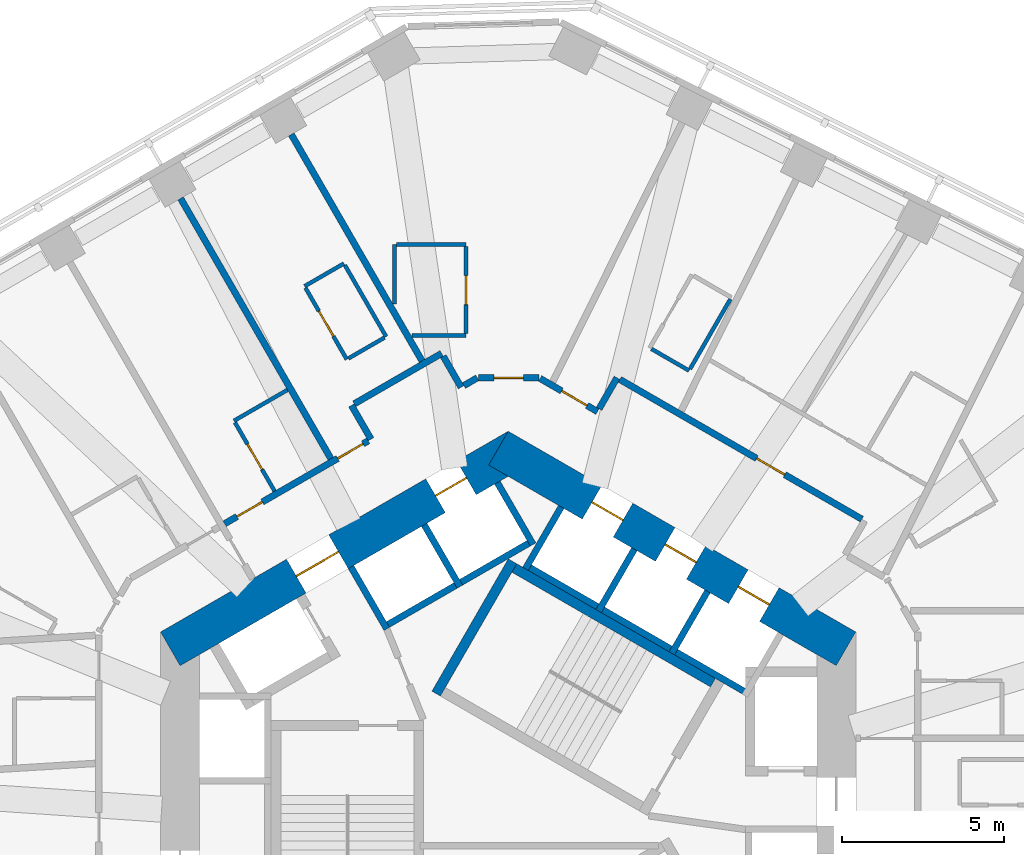
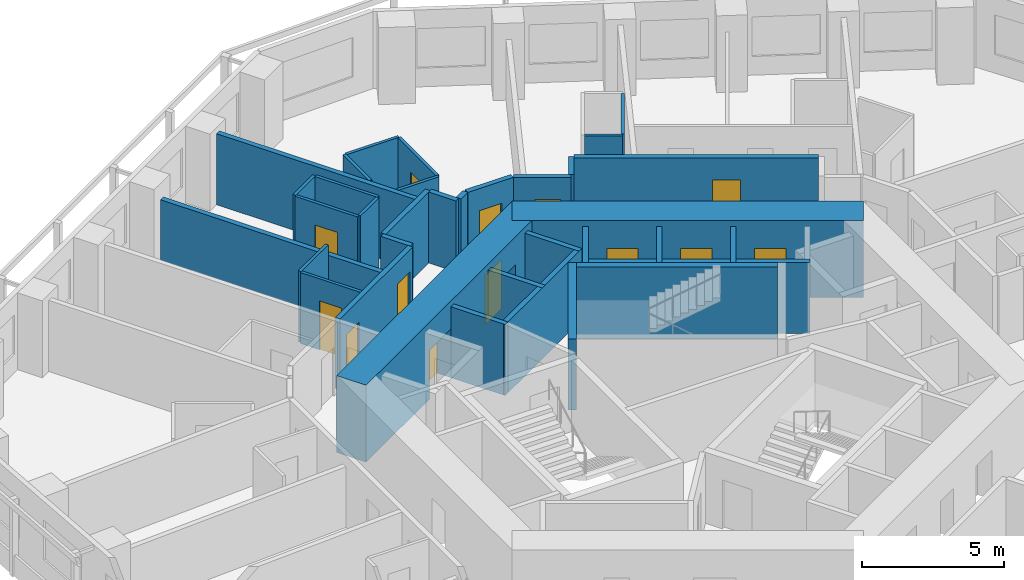
# One storey, part 8 of 12: 35 walls, 13 doors, 13 openings.
"""IFC4 building model written with IfcOpenShell, lengths in metres."""

from ifc_helpers import new_model, si_unit, direction, frame, frame_2d, origin, place, context, subcontext, project, spatial, rectangle, extrude, material, layer, layer_set, type_object, element, fill, save


model = new_model("IFC4")

# Units and contexts
model_context = context("Model", 3, precision=1e-05, world=origin(), true_north=direction((0.0, 1.0)))
body_context = subcontext(model_context, "Body", "Model", "MODEL_VIEW")
ifc_project = project(units=[si_unit("LENGTHUNIT", "METRE"), si_unit("AREAUNIT", "SQUARE_METRE"), si_unit("VOLUMEUNIT", "CUBIC_METRE"), si_unit("PLANEANGLEUNIT", "RADIAN"), si_unit("MASSUNIT", "GRAM", prefix="KILO")], contexts=[model_context])

# Site, building, storey
site_placement = place(None, origin())
site = spatial("IfcSite", under=ifc_project, at=site_placement, CompositionType="ELEMENT")
building_placement = place(site_placement, origin())
building = spatial("IfcBuilding", under=site, at=building_placement, Name="Vanh Sen Convention Tower", CompositionType="ELEMENT")
storey_placement = place(building_placement, frame((0.0, 0.0, 93.5)))
storey = spatial("IfcBuildingStorey", under=building, at=storey_placement, Name="L21", CompositionType="ELEMENT", Elevation=93.5)

# Wall
ifc_material_1 = material(Name="Moisture-resistant gypsum board on steel studs", Category="steel")
ifc_layer_1 = layer(ifc_material_1, 0.1201171875)
ifc_layer_set_1 = layer_set([ifc_layer_1], Name="Moisture-resistant gypsum board on steel studs")
wall_type_1 = type_object("IfcWallType", Name="Bathroom partition 120", PredefinedType="PARTITIONING", material=ifc_layer_set_1)
wall_1_placement = place(storey_placement, frame((-8.43994140625, 12.6787109375, 0.0), z_axis=(0.0, 0.0, 1.0), x_axis=(0.866044365799, 0.499967155389, 0.0)))
element("IfcWall", 1, at=wall_1_placement, inside=storey, type_object=wall_type_1, Name="Bathroom partition 120", PredefinedType="PARTITIONING", context=body_context, shape_type="SweptSolid", body=[
    extrude(rectangle(XDim=1.900146484375, YDim=0.1201171875, at=frame_2d((0.9501953125, 0.0))), origin(), (0.0, 0.0, 1.0), 3.050048828125),
])

# Wall, opening, door
wall_2_placement = place(storey_placement, frame((-7.18994140625, 10.513427734375, 0.0), z_axis=(0.0, 0.0, 1.0), x_axis=(-0.499959183527, 0.866048967903, 0.0)))
wall_2 = element("IfcWall", 2, at=wall_2_placement, inside=storey, type_object=wall_type_1, Name="Bathroom partition 120", PredefinedType="PARTITIONING", context=body_context, shape_type="SweptSolid", body=[
    extrude(rectangle(XDim=2.440185546875, YDim=0.1201171875, at=frame_2d((1.22021484375, 0.0))), origin(), (0.0, 0.0, 1.0), 3.050048828125),
])
opening_1_placement = place(wall_2_placement, frame((0.77001953125, 0.0, 0.0)))
opening_1 = element("IfcOpeningElement", 3, at=opening_1_placement, cuts=wall_2, Name="Opening D19120", PredefinedType="OPENING", context=body_context, shape_type="SweptSolid", body=[
    extrude(rectangle(XDim=0.89990234375, YDim=2.10009765625, at=frame_2d((0.449951171875, 1.050048828125))), frame((0.0, 0.070068359375, 0.0), z_axis=(0.0, -1.0, 0.0), x_axis=(1.0, 0.0, 0.0)), (0.0, 0.0, 1.0), 0.14013671875),
])
ifc_material_2 = material(Name="Laminate door in steel frame", Category="steel")
door_type_1 = type_object("IfcDoorType", Name="En-suite door 900", OperationType="SINGLE_SWING_LEFT", PredefinedType="DOOR", material=ifc_material_2)
door_1_placement = place(opening_1_placement, origin())
door_1 = element("IfcDoor", 4, at=door_1_placement, inside=storey, type_object=door_type_1, Name="En-suite door D19120", OperationType="SINGLE_SWING_LEFT", OverallHeight=2.10009765625, OverallWidth=0.89990234375, PredefinedType="DOOR", context=body_context, shape_type="SweptSolid", body=[
    extrude(rectangle(XDim=0.89990234375, YDim=2.10009765625, at=frame_2d((0.449951171875, 1.050048828125))), frame((0.0, 0.02490234375, 0.0), z_axis=(0.0, -1.0, 0.0), x_axis=(1.0, 0.0, 0.0)), (0.0, 0.0, 1.0), 0.050048828125),
])
fill(opening_1, door_1)

# Walls
wall_3_placement = place(storey_placement, frame((-6.268310546875, 16.8203125, 0.0), z_axis=(0.0, 0.0, 1.0), x_axis=(0.866002662425, 0.500039387122, 0.0)))
element("IfcWall", 5, at=wall_3_placement, inside=storey, type_object=wall_type_1, Name="Bathroom partition 120", PredefinedType="PARTITIONING", context=body_context, shape_type="SweptSolid", body=[
    extrude(rectangle(XDim=1.400390625, YDim=0.1201171875, at=frame_2d((0.7001953125, 0.0))), origin(), (0.0, 0.0, 1.0), 3.050048828125),
])
wall_4_placement = place(storey_placement, frame((-5.025634765625, 17.468505859375, 0.0), z_axis=(0.0, 0.0, 1.0), x_axis=(0.500005339912, -0.866022320763, 0.0)))
element("IfcWall", 6, at=wall_4_placement, inside=storey, type_object=wall_type_1, Name="Bathroom partition 120", PredefinedType="PARTITIONING", context=body_context, shape_type="SweptSolid", body=[
    extrude(rectangle(XDim=2.5400390625, YDim=0.1201171875, at=frame_2d((1.27001953125, 0.0))), origin(), (0.0, 0.0, 1.0), 3.050048828125),
])

# Wall, opening, door
wall_5_placement = place(storey_placement, frame((-4.96826171875, 14.56884765625, 0.0), z_axis=(0.0, 0.0, 1.0), x_axis=(-0.500046963369, 0.865998287773, 0.0)))
wall_5 = element("IfcWall", 7, at=wall_5_placement, inside=storey, type_object=wall_type_1, Name="Bathroom partition 120", PredefinedType="PARTITIONING", context=body_context, shape_type="SweptSolid", body=[
    extrude(rectangle(XDim=2.539794921875, YDim=0.1201171875, at=frame_2d((1.27001953125, 0.0))), origin(), (0.0, 0.0, 1.0), 3.050048828125),
])
opening_2_placement = place(wall_5_placement, frame((0.820068359375, 0.0, 0.0)))
opening_2 = element("IfcOpeningElement", 8, at=opening_2_placement, cuts=wall_5, Name="Opening D19118", PredefinedType="OPENING", context=body_context, shape_type="SweptSolid", body=[
    extrude(rectangle(XDim=0.89990234375, YDim=2.10009765625, at=frame_2d((0.449951171875, 1.050048828125))), frame((0.0, 0.070068359375, 0.0), z_axis=(0.0, -1.0, 0.0), x_axis=(1.0, 0.0, 0.0)), (0.0, 0.0, 1.0), 0.14013671875),
])
door_2_placement = place(opening_2_placement, origin())
door_2 = element("IfcDoor", 9, at=door_2_placement, inside=storey, type_object=door_type_1, Name="En-suite door D19118", OperationType="SINGLE_SWING_LEFT", OverallHeight=2.10009765625, OverallWidth=0.89990234375, PredefinedType="DOOR", context=body_context, shape_type="SweptSolid", body=[
    extrude(rectangle(XDim=0.89990234375, YDim=2.10009765625, at=frame_2d((0.449951171875, 1.050048828125))), frame((0.0, 0.02490234375, 0.0), z_axis=(0.0, -1.0, 0.0), x_axis=(1.0, 0.0, 0.0)), (0.0, 0.0, 1.0), 0.050048828125),
])
fill(opening_2, door_2)

# Walls
wall_6_placement = place(storey_placement, frame((-3.8076171875, 15.23876953125, 0.0), z_axis=(0.0, 0.0, 1.0), x_axis=(-0.866087136806, -0.499893060024, 0.0)))
element("IfcWall", 10, at=wall_6_placement, inside=storey, type_object=wall_type_1, Name="Bathroom partition 120", PredefinedType="PARTITIONING", context=body_context, shape_type="SweptSolid", body=[
    extrude(rectangle(XDim=1.280029296875, YDim=0.1201171875, at=frame_2d((0.64013671875, 0.0))), origin(), (0.0, 0.0, 1.0), 3.050048828125),
])
wall_7_placement = place(storey_placement, frame((-3.5, 16.271484375, 0.0), z_axis=(0.0, 0.0, 1.0), x_axis=(0.0, 1.0, 0.0)))
element("IfcWall", 11, at=wall_7_placement, inside=storey, type_object=wall_type_1, Name="Bathroom partition 120", PredefinedType="PARTITIONING", context=body_context, shape_type="SweptSolid", body=[
    extrude(rectangle(XDim=1.8291015625, YDim=0.1201171875, at=frame_2d((0.91455078125, 0.0))), origin(), (0.0, 0.0, 1.0), 3.050048828125),
])
wall_8_placement = place(storey_placement, frame((-3.43994140625, 18.1005859375, 0.0), z_axis=(0.0, 0.0, 1.0), x_axis=(1.0, 0.0, 0.0)))
element("IfcWall", 12, at=wall_8_placement, inside=storey, type_object=wall_type_1, Name="Bathroom partition 120", PredefinedType="PARTITIONING", context=body_context, shape_type="SweptSolid", body=[
    extrude(rectangle(XDim=2.139892578125, YDim=0.1201171875, at=frame_2d((1.06982421875, 0.0))), origin(), (0.0, 0.0, 1.0), 3.050048828125),
])
wall_9_placement = place(storey_placement, frame((-1.300048828125, 15.30078125, 0.0), z_axis=(0.0, 0.0, 1.0), x_axis=(-1.0, 0.0, 0.0)))
element("IfcWall", 13, at=wall_9_placement, inside=storey, type_object=wall_type_1, Name="Bathroom partition 120", PredefinedType="PARTITIONING", context=body_context, shape_type="SweptSolid", body=[
    extrude(rectangle(XDim=1.6611328125, YDim=0.1201171875, at=frame_2d((0.83056640625, 0.0))), origin(), (0.0, 0.0, 1.0), 3.050048828125),
])

# Wall, opening, door
wall_10_placement = place(storey_placement, frame((-1.300048828125, 18.040771484375, 0.0), z_axis=(0.0, 0.0, 1.0), x_axis=(0.0, -1.0, 0.0)))
wall_10 = element("IfcWall", 14, at=wall_10_placement, inside=storey, type_object=wall_type_1, Name="Bathroom partition 120", PredefinedType="PARTITIONING", context=body_context, shape_type="SweptSolid", body=[
    extrude(rectangle(XDim=2.68017578125, YDim=0.1201171875, at=frame_2d((1.340087890625, 0.0))), origin(), (0.0, 0.0, 1.0), 3.050048828125),
])
opening_3_placement = place(wall_10_placement, frame((0.889892578125, 0.0, 0.0)))
opening_3 = element("IfcOpeningElement", 15, at=opening_3_placement, cuts=wall_10, Name="Opening D19116", PredefinedType="OPENING", context=body_context, shape_type="SweptSolid", body=[
    extrude(rectangle(XDim=0.89990234375, YDim=2.10009765625, at=frame_2d((0.449951171875, 1.050048828125))), frame((0.0, 0.070068359375, 0.0), z_axis=(0.0, -1.0, 0.0), x_axis=(1.0, 0.0, 0.0)), (0.0, 0.0, 1.0), 0.14013671875),
])
door_3_placement = place(opening_3_placement, origin())
door_3 = element("IfcDoor", 16, at=door_3_placement, inside=storey, type_object=door_type_1, Name="En-suite door D19116", OperationType="SINGLE_SWING_LEFT", OverallHeight=2.10009765625, OverallWidth=0.89990234375, PredefinedType="DOOR", context=body_context, shape_type="SweptSolid", body=[
    extrude(rectangle(XDim=0.89990234375, YDim=2.10009765625, at=frame_2d((0.449951171875, 1.050048828125))), frame((0.0, 0.02490234375, 0.0), z_axis=(0.0, -1.0, 0.0), x_axis=(1.0, 0.0, 0.0)), (0.0, 0.0, 1.0), 0.050048828125),
])
fill(opening_3, door_3)

# Walls
wall_11_placement = place(storey_placement, frame((5.568603515625, 14.22216796875, 0.0), z_axis=(0.0, 0.0, 1.0), x_axis=(-0.866036909293, 0.499980071345, 0.0)))
element("IfcWall", 17, at=wall_11_placement, inside=storey, type_object=wall_type_1, Name="Bathroom partition 120", PredefinedType="PARTITIONING", context=body_context, shape_type="SweptSolid", body=[
    extrude(rectangle(XDim=1.33984375, YDim=0.1201171875, at=frame_2d((0.669921875, 0.0))), origin(), (0.0, 0.0, 1.0), 3.050048828125),
])
wall_12_placement = place(storey_placement, frame((6.838623046875, 16.421875, 0.0), z_axis=(0.0, 0.0, 1.0), x_axis=(-0.50000366821, -0.866023285932, 0.0)))
element("IfcWall", 18, at=wall_12_placement, inside=storey, type_object=wall_type_1, Name="Bathroom partition 120", PredefinedType="PARTITIONING", context=body_context, shape_type="SweptSolid", body=[
    extrude(rectangle(XDim=2.47998046875, YDim=0.1201171875, at=frame_2d((1.239990234375, 0.0))), origin(), (0.0, 0.0, 1.0), 3.050048828125),
])

# Wall, openings, doors
ifc_material_3 = material(Name="Concrete C80/95", Category="concrete")
ifc_layer_2 = layer(ifc_material_3, 1.199951171875)
ifc_layer_set_2 = layer_set([ifc_layer_2], Name="Concrete C80/95")
wall_type_2 = type_object("IfcWallType", Name="Core outer wall 1200 C80/95", PredefinedType="SHEAR", material=ifc_layer_set_2)
wall_13_placement = place(storey_placement, frame((10.39990234375, 5.657958984375, 0.0), z_axis=(0.0, 0.0, 1.0), x_axis=(-0.866021384402, 0.500006961711, 0.0)))
wall_13 = element("IfcWall", 19, at=wall_13_placement, inside=storey, type_object=wall_type_2, Name="Core wall face NE L21", PredefinedType="SHEAR", context=body_context, shape_type="SweptSolid", body=[
    extrude(rectangle(XDim=12.355224609375, YDim=1.199951171875, at=frame_2d((6.177734375, 0.0))), origin(), (0.0, 0.0, 1.0), 3.300048828125),
])
opening_4_placement = place(wall_13_placement, frame((2.727783203125, 0.0, 0.0)))
opening_4 = element("IfcOpeningElement", 20, at=opening_4_placement, cuts=wall_13, Name="Opening LD-LR3", PredefinedType="OPENING", context=body_context, shape_type="SweptSolid", body=[
    extrude(rectangle(XDim=1.10009765625, YDim=2.10009765625, at=frame_2d((0.550048828125, 1.050048828125))), frame((0.0, 0.60986328125, 0.0), z_axis=(0.0, -1.0, 0.0), x_axis=(1.0, 0.0, 0.0)), (0.0, 0.0, 1.0), 1.219970703125),
])
opening_5_placement = place(wall_13_placement, frame((5.32763671875, 0.0, 0.0)))
opening_5 = element("IfcOpeningElement", 21, at=opening_5_placement, cuts=wall_13, Name="Opening LD-LR4", PredefinedType="OPENING", context=body_context, shape_type="SweptSolid", body=[
    extrude(rectangle(XDim=1.10009765625, YDim=2.10009765625, at=frame_2d((0.550048828125, 1.050048828125))), frame((0.0, 0.60986328125, 0.0), z_axis=(0.0, -1.0, 0.0), x_axis=(1.0, 0.0, 0.0)), (0.0, 0.0, 1.0), 1.219970703125),
])
opening_6_placement = place(wall_13_placement, frame((7.927734375, 0.0, 0.0)))
opening_6 = element("IfcOpeningElement", 22, at=opening_6_placement, cuts=wall_13, Name="Opening LD-LR5", PredefinedType="OPENING", context=body_context, shape_type="SweptSolid", body=[
    extrude(rectangle(XDim=1.10009765625, YDim=2.10009765625, at=frame_2d((0.550048828125, 1.050048828125))), frame((0.0, 0.60986328125, 0.0), z_axis=(0.0, -1.0, 0.0), x_axis=(1.0, 0.0, 0.0)), (0.0, 0.0, 1.0), 1.219970703125),
])
ifc_material_4 = material(Name="Stainless steel", Category="steel")
door_type_2 = type_object("IfcDoorType", Name="Lift landing door 1100", OperationType="DOUBLE_DOOR_SLIDING", PredefinedType="DOOR", material=ifc_material_4)
door_4_placement = place(opening_4_placement, origin())
door_4 = element("IfcDoor", 23, at=door_4_placement, inside=storey, type_object=door_type_2, Name="Lift LR3 landing door LD-LR3", OperationType="DOUBLE_DOOR_SLIDING", OverallHeight=2.10009765625, OverallWidth=1.10009765625, PredefinedType="DOOR", context=body_context, shape_type="SweptSolid", body=[
    extrude(rectangle(XDim=1.10009765625, YDim=2.10009765625, at=frame_2d((0.550048828125, 1.050048828125))), frame((0.0, 0.02490234375, 0.0), z_axis=(0.0, -1.0, 0.0), x_axis=(1.0, 0.0, 0.0)), (0.0, 0.0, 1.0), 0.050048828125),
])
fill(opening_4, door_4)
door_5_placement = place(opening_5_placement, origin())
door_5 = element("IfcDoor", 24, at=door_5_placement, inside=storey, type_object=door_type_2, Name="Lift LR4 landing door LD-LR4", OperationType="DOUBLE_DOOR_SLIDING", OverallHeight=2.10009765625, OverallWidth=1.10009765625, PredefinedType="DOOR", context=body_context, shape_type="SweptSolid", body=[
    extrude(rectangle(XDim=1.10009765625, YDim=2.10009765625, at=frame_2d((0.550048828125, 1.050048828125))), frame((0.0, 0.02490234375, 0.0), z_axis=(0.0, -1.0, 0.0), x_axis=(1.0, 0.0, 0.0)), (0.0, 0.0, 1.0), 0.050048828125),
])
fill(opening_5, door_5)
door_6_placement = place(opening_6_placement, origin())
door_6 = element("IfcDoor", 25, at=door_6_placement, inside=storey, type_object=door_type_2, Name="Lift LR5 landing door LD-LR5", OperationType="DOUBLE_DOOR_SLIDING", OverallHeight=2.10009765625, OverallWidth=1.10009765625, PredefinedType="DOOR", context=body_context, shape_type="SweptSolid", body=[
    extrude(rectangle(XDim=1.10009765625, YDim=2.10009765625, at=frame_2d((0.550048828125, 1.050048828125))), frame((0.0, 0.02490234375, 0.0), z_axis=(0.0, -1.0, 0.0), x_axis=(1.0, 0.0, 0.0)), (0.0, 0.0, 1.0), 0.050048828125),
])
fill(opening_6, door_6)

wall_14_placement = place(storey_placement, frame((0.300048828125, 11.835693359375, 0.0), z_axis=(0.0, 0.0, 1.0), x_axis=(-0.866021384402, -0.500006961711, 0.0)))
wall_14 = element("IfcWall", 26, at=wall_14_placement, inside=storey, type_object=wall_type_2, Name="Core wall face NW L21", PredefinedType="SHEAR", context=body_context, shape_type="SweptSolid", body=[
    extrude(rectangle(XDim=12.355224609375, YDim=1.199951171875, at=frame_2d((6.177734375, 0.0))), origin(), (0.0, 0.0, 1.0), 3.300048828125),
])
opening_7_placement = place(wall_14_placement, frame((6.377685546875, 0.0, 0.0)))
opening_7 = element("IfcOpeningElement", 27, at=opening_7_placement, cuts=wall_14, Name="Opening D19002", PredefinedType="OPENING", context=body_context, shape_type="SweptSolid", body=[
    extrude(rectangle(XDim=1.5, YDim=2.10009765625, at=frame_2d((0.75, 1.050048828125))), frame((0.0, 0.60986328125, 0.0), z_axis=(0.0, -1.0, 0.0), x_axis=(1.0, 0.0, 0.0)), (0.0, 0.0, 1.0), 1.219970703125),
])
opening_8_placement = place(wall_14_placement, frame((1.82763671875, 0.0, 0.0)))
opening_8 = element("IfcOpeningElement", 28, at=opening_8_placement, cuts=wall_14, Name="Opening LD-LR6", PredefinedType="OPENING", context=body_context, shape_type="SweptSolid", body=[
    extrude(rectangle(XDim=1.10009765625, YDim=2.10009765625, at=frame_2d((0.550048828125, 1.050048828125))), frame((0.0, 0.60986328125, 0.0), z_axis=(0.0, -1.0, 0.0), x_axis=(1.0, 0.0, 0.0)), (0.0, 0.0, 1.0), 1.219970703125),
])
door_7_placement = place(opening_8_placement, origin())
door_7 = element("IfcDoor", 29, at=door_7_placement, inside=storey, type_object=door_type_2, Name="Lift LR6 landing door LD-LR6", OperationType="DOUBLE_DOOR_SLIDING", OverallHeight=2.10009765625, OverallWidth=1.10009765625, PredefinedType="DOOR", context=body_context, shape_type="SweptSolid", body=[
    extrude(rectangle(XDim=1.10009765625, YDim=2.10009765625, at=frame_2d((0.550048828125, 1.050048828125))), frame((0.0, 0.02490234375, 0.0), z_axis=(0.0, -1.0, 0.0), x_axis=(1.0, 0.0, 0.0)), (0.0, 0.0, 1.0), 0.050048828125),
])
fill(opening_8, door_7)
ifc_material_5 = material(Name="Steel S355", Category="steel")
door_type_3 = type_object("IfcDoorType", Name="Stair lobby door 1500", OperationType="DOUBLE_DOOR_SINGLE_SWING", PredefinedType="DOOR", material=ifc_material_5)
door_8_placement = place(opening_7_placement, origin())
door_8 = element("IfcDoor", 30, at=door_8_placement, inside=storey, type_object=door_type_3, Name="Stair lobby door D19002", OperationType="DOUBLE_DOOR_SINGLE_SWING", OverallHeight=2.10009765625, OverallWidth=1.5, PredefinedType="DOOR", context=body_context, shape_type="SweptSolid", body=[
    extrude(rectangle(XDim=1.5, YDim=2.10009765625, at=frame_2d((0.75, 1.050048828125))), frame((0.0, 0.02490234375, 0.0), z_axis=(0.0, -1.0, 0.0), x_axis=(1.0, 0.0, 0.0)), (0.0, 0.0, 1.0), 0.050048828125),
])
fill(opening_7, door_8)

# Wall
ifc_material_6 = material(Name="Gypsum board on steel studs with mineral wool", Category="steel")
ifc_layer_3 = layer(ifc_material_6, 0.199951171875)
ifc_layer_set_3 = layer_set([ifc_layer_3], Name="Gypsum board on steel studs with mineral wool")
wall_type_3 = type_object("IfcWallType", Name="Corridor partition wall 200", PredefinedType="PARTITIONING", material=ifc_layer_set_3)
wall_15_placement = place(storey_placement, frame((-4.822998046875, 13.151611328125, 0.0), z_axis=(0.0, 0.0, 1.0), x_axis=(0.499986357472, -0.866033280158, 0.0)))
element("IfcWall", 31, at=wall_15_placement, inside=storey, type_object=wall_type_3, Name="Corridor partition wall 200", PredefinedType="PARTITIONING", context=body_context, shape_type="SweptSolid", body=[
    extrude(rectangle(XDim=1.201171875, YDim=0.199951171875, at=frame_2d((0.6005859375, 0.0))), origin(), (0.0, 0.0, 1.0), 3.050048828125),
])

# Wall, openings, doors
wall_16_placement = place(storey_placement, frame((-4.30908203125, 12.061279296875, 0.0), z_axis=(0.0, 0.0, 1.0), x_axis=(-0.866020679205, -0.500008183122, 0.0)))
wall_16 = element("IfcWall", 32, at=wall_16_placement, inside=storey, type_object=wall_type_3, Name="Corridor partition wall 200", PredefinedType="PARTITIONING", context=body_context, shape_type="SweptSolid", body=[
    extrude(rectangle(XDim=5.103515625, YDim=0.199951171875, at=frame_2d((2.5517578125, 0.0))), origin(), (0.0, 0.0, 1.0), 3.050048828125),
])
opening_9_placement = place(wall_16_placement, frame((0.1845703125, 0.0, 0.0)))
opening_9 = element("IfcOpeningElement", 33, at=opening_9_placement, cuts=wall_16, Name="Opening D19117", PredefinedType="OPENING", context=body_context, shape_type="SweptSolid", body=[
    extrude(rectangle(XDim=0.89990234375, YDim=2.10009765625, at=frame_2d((0.449951171875, 1.050048828125))), frame((0.0, 0.10986328125, 0.0), z_axis=(0.0, -1.0, 0.0), x_axis=(1.0, 0.0, 0.0)), (0.0, 0.0, 1.0), 0.219970703125),
])
opening_10_placement = place(wall_16_placement, frame((3.76123046875, 0.0, 0.0)))
opening_10 = element("IfcOpeningElement", 34, at=opening_10_placement, cuts=wall_16, Name="Opening D19119", PredefinedType="OPENING", context=body_context, shape_type="SweptSolid", body=[
    extrude(rectangle(XDim=0.89990234375, YDim=2.10009765625, at=frame_2d((0.449951171875, 1.050048828125))), frame((0.0, 0.10986328125, 0.0), z_axis=(0.0, -1.0, 0.0), x_axis=(1.0, 0.0, 0.0)), (0.0, 0.0, 1.0), 0.219970703125),
])
ifc_material_7 = material(Name="Timber fire door in steel frame", Category="steel")
door_type_4 = type_object("IfcDoorType", Name="Guest room door 900", OperationType="SINGLE_SWING_LEFT", PredefinedType="DOOR", material=ifc_material_7)
door_9_placement = place(opening_9_placement, origin())
door_9 = element("IfcDoor", 35, at=door_9_placement, inside=storey, type_object=door_type_4, Name="Hotel guest room door D19117", OperationType="SINGLE_SWING_LEFT", OverallHeight=2.10009765625, OverallWidth=0.89990234375, PredefinedType="DOOR", context=body_context, shape_type="SweptSolid", body=[
    extrude(rectangle(XDim=0.89990234375, YDim=2.10009765625, at=frame_2d((0.449951171875, 1.050048828125))), frame((0.0, 0.02490234375, 0.0), z_axis=(0.0, -1.0, 0.0), x_axis=(1.0, 0.0, 0.0)), (0.0, 0.0, 1.0), 0.050048828125),
])
fill(opening_9, door_9)
door_10_placement = place(opening_10_placement, origin())
door_10 = element("IfcDoor", 36, at=door_10_placement, inside=storey, type_object=door_type_4, Name="Hotel guest room door D19119", OperationType="SINGLE_SWING_LEFT", OverallHeight=2.10009765625, OverallWidth=0.89990234375, PredefinedType="DOOR", context=body_context, shape_type="SweptSolid", body=[
    extrude(rectangle(XDim=0.89990234375, YDim=2.10009765625, at=frame_2d((0.449951171875, 1.050048828125))), frame((0.0, 0.02490234375, 0.0), z_axis=(0.0, -1.0, 0.0), x_axis=(1.0, 0.0, 0.0)), (0.0, 0.0, 1.0), 0.050048828125),
])
fill(opening_10, door_10)

# Walls
wall_17_placement = place(storey_placement, frame((-2.0498046875, 14.75244140625, 0.0), z_axis=(0.0, 0.0, 1.0), x_axis=(-0.866030936828, -0.499990416364, 0.0)))
element("IfcWall", 37, at=wall_17_placement, inside=storey, type_object=wall_type_3, Name="Corridor partition wall 200", PredefinedType="PARTITIONING", context=body_context, shape_type="SweptSolid", body=[
    extrude(rectangle(XDim=3.10205078125, YDim=0.199951171875, at=frame_2d((1.551025390625, 0.0))), origin(), (0.0, 0.0, 1.0), 3.050048828125),
])
wall_18_placement = place(storey_placement, frame((-1.449462890625, 13.71240234375, 0.0), z_axis=(0.0, 0.0, 1.0), x_axis=(-0.499978356969, 0.866037899034, 0.0)))
element("IfcWall", 38, at=wall_18_placement, inside=storey, type_object=wall_type_3, Name="Corridor partition wall 200", PredefinedType="PARTITIONING", context=body_context, shape_type="SweptSolid", body=[
    extrude(rectangle(XDim=1.10107421875, YDim=0.199951171875, at=frame_2d((0.550537109375, 0.0))), origin(), (0.0, 0.0, 1.0), 3.050048828125),
])
wall_19_placement = place(storey_placement, frame((-0.949951171875, 14.000732421875, 0.0), z_axis=(0.0, 0.0, 1.0), x_axis=(-0.86609177584, -0.499885022602, 0.0)))
element("IfcWall", 39, at=wall_19_placement, inside=storey, type_object=wall_type_3, Name="Corridor partition wall 200", PredefinedType="PARTITIONING", context=body_context, shape_type="SweptSolid", body=[
    extrude(rectangle(XDim=0.4765625, YDim=0.199951171875, at=frame_2d((0.23828125, 0.0))), origin(), (0.0, 0.0, 1.0), 3.050048828125),
])

# Wall, opening, door
wall_20_placement = place(storey_placement, frame((0.949951171875, 14.000732421875, 0.0), z_axis=(0.0, 0.0, 1.0), x_axis=(-1.0, 0.0, 0.0)))
wall_20 = element("IfcWall", 40, at=wall_20_placement, inside=storey, type_object=wall_type_3, Name="Corridor partition wall 200", PredefinedType="PARTITIONING", context=body_context, shape_type="SweptSolid", body=[
    extrude(rectangle(XDim=1.85986328125, YDim=0.199951171875, at=frame_2d((0.929931640625, 0.0))), origin(), (0.0, 0.0, 1.0), 3.050048828125),
])
opening_11_placement = place(wall_20_placement, frame((0.47998046875, 0.0, 0.0)))
opening_11 = element("IfcOpeningElement", 41, at=opening_11_placement, cuts=wall_20, Name="Opening D19115", PredefinedType="OPENING", context=body_context, shape_type="SweptSolid", body=[
    extrude(rectangle(XDim=0.89990234375, YDim=2.10009765625, at=frame_2d((0.449951171875, 1.050048828125))), frame((0.0, 0.10986328125, 0.0), z_axis=(0.0, -1.0, 0.0), x_axis=(1.0, 0.0, 0.0)), (0.0, 0.0, 1.0), 0.219970703125),
])
door_11_placement = place(opening_11_placement, origin())
door_11 = element("IfcDoor", 42, at=door_11_placement, inside=storey, type_object=door_type_4, Name="Hotel guest room door D19115", OperationType="SINGLE_SWING_LEFT", OverallHeight=2.10009765625, OverallWidth=0.89990234375, PredefinedType="DOOR", context=body_context, shape_type="SweptSolid", body=[
    extrude(rectangle(XDim=0.89990234375, YDim=2.10009765625, at=frame_2d((0.449951171875, 1.050048828125))), frame((0.0, 0.02490234375, 0.0), z_axis=(0.0, -1.0, 0.0), x_axis=(1.0, 0.0, 0.0)), (0.0, 0.0, 1.0), 0.050048828125),
])
fill(opening_11, door_11)

wall_21_placement = place(storey_placement, frame((2.748291015625, 12.96240234375, 0.0), z_axis=(0.0, 0.0, 1.0), x_axis=(-0.866013897511, 0.50001992892, 0.0)))
wall_21 = element("IfcWall", 43, at=wall_21_placement, inside=storey, type_object=wall_type_3, Name="Corridor partition wall 200", PredefinedType="PARTITIONING", context=body_context, shape_type="SweptSolid", body=[
    extrude(rectangle(XDim=2.03662109375, YDim=0.199951171875, at=frame_2d((1.018310546875, 0.0))), origin(), (0.0, 0.0, 1.0), 3.050048828125),
])
opening_12_placement = place(wall_21_placement, frame((0.371826171875, 0.0, 0.0)))
opening_12 = element("IfcOpeningElement", 44, at=opening_12_placement, cuts=wall_21, Name="Opening D19113", PredefinedType="OPENING", context=body_context, shape_type="SweptSolid", body=[
    extrude(rectangle(XDim=0.89990234375, YDim=2.10009765625, at=frame_2d((0.449951171875, 1.050048828125))), frame((0.0, 0.10986328125, 0.0), z_axis=(0.0, -1.0, 0.0), x_axis=(1.0, 0.0, 0.0)), (0.0, 0.0, 1.0), 0.219970703125),
])
door_12_placement = place(opening_12_placement, origin())
door_12 = element("IfcDoor", 45, at=door_12_placement, inside=storey, type_object=door_type_4, Name="Hotel guest room door D19113", OperationType="SINGLE_SWING_LEFT", OverallHeight=2.10009765625, OverallWidth=0.89990234375, PredefinedType="DOOR", context=body_context, shape_type="SweptSolid", body=[
    extrude(rectangle(XDim=0.89990234375, YDim=2.10009765625, at=frame_2d((0.449951171875, 1.050048828125))), frame((0.0, 0.02490234375, 0.0), z_axis=(0.0, -1.0, 0.0), x_axis=(1.0, 0.0, 0.0)), (0.0, 0.0, 1.0), 0.050048828125),
])
fill(opening_12, door_12)

# Wall
wall_22_placement = place(storey_placement, frame((3.348876953125, 14.00244140625, 0.0), z_axis=(0.0, 0.0, 1.0), x_axis=(-0.500074377092, -0.865982457891, 0.0)))
element("IfcWall", 46, at=wall_22_placement, inside=storey, type_object=wall_type_3, Name="Corridor partition wall 200", PredefinedType="PARTITIONING", context=body_context, shape_type="SweptSolid", body=[
    extrude(rectangle(XDim=1.100830078125, YDim=0.199951171875, at=frame_2d((0.55029296875, 0.0))), origin(), (0.0, 0.0, 1.0), 3.050048828125),
])

# Wall, opening, door
wall_23_placement = place(storey_placement, frame((10.885009765625, 9.651611328125, 0.0), z_axis=(0.0, 0.0, 1.0), x_axis=(-0.866033868542, 0.499985338323, 0.0)))
wall_23 = element("IfcWall", 47, at=wall_23_placement, inside=storey, type_object=wall_type_3, Name="Corridor partition wall 200", PredefinedType="PARTITIONING", context=body_context, shape_type="SweptSolid", body=[
    extrude(rectangle(XDim=8.601806640625, YDim=0.199951171875, at=frame_2d((4.30078125, 0.0))), origin(), (0.0, 0.0, 1.0), 3.050048828125),
])
opening_13_placement = place(wall_23_placement, frame((2.738525390625, 0.0, 0.0)))
opening_13 = element("IfcOpeningElement", 48, at=opening_13_placement, cuts=wall_23, Name="Opening D19109", PredefinedType="OPENING", context=body_context, shape_type="SweptSolid", body=[
    extrude(rectangle(XDim=1.0, YDim=2.10009765625, at=frame_2d((0.5, 1.050048828125))), frame((0.0, 0.10986328125, 0.0), z_axis=(0.0, -1.0, 0.0), x_axis=(1.0, 0.0, 0.0)), (0.0, 0.0, 1.0), 0.219970703125),
])
door_type_5 = type_object("IfcDoorType", Name="Floor room door 1000", OperationType="SINGLE_SWING_LEFT", PredefinedType="DOOR", material=ifc_material_7)
door_13_placement = place(opening_13_placement, origin())
door_13 = element("IfcDoor", 49, at=door_13_placement, inside=storey, type_object=door_type_5, Name="Meeting and amenity room door D19109", OperationType="SINGLE_SWING_LEFT", OverallHeight=2.10009765625, OverallWidth=1.0, PredefinedType="DOOR", context=body_context, shape_type="SweptSolid", body=[
    extrude(rectangle(XDim=1.0, YDim=2.10009765625, at=frame_2d((0.5, 1.050048828125))), frame((0.0, 0.02490234375, 0.0), z_axis=(0.0, -1.0, 0.0), x_axis=(1.0, 0.0, 0.0)), (0.0, 0.0, 1.0), 0.050048828125),
])
fill(opening_13, door_13)

# Walls
ifc_layer_4 = layer(ifc_material_6, 0.199951171875)
ifc_layer_set_4 = layer_set([ifc_layer_4], Name="Gypsum board on steel studs with mineral wool")
wall_type_4 = type_object("IfcWallType", Name="Hotel party wall 200", PredefinedType="PARTITIONING", material=ifc_layer_set_4)
wall_24_placement = place(storey_placement, frame((-10.0830078125, 19.5244140625, 0.0), z_axis=(0.0, 0.0, 1.0), x_axis=(0.499999662836, -0.866025598446, 0.0)))
element("IfcWall", 50, at=wall_24_placement, inside=storey, type_object=wall_type_4, Name="Hotel party wall 200", PredefinedType="PARTITIONING", context=body_context, shape_type="SweptSolid", body=[
    extrude(rectangle(XDim=9.25, YDim=0.199951171875, at=frame_2d((4.625, 0.0))), origin(), (0.0, 0.0, 1.0), 2.60009765625),
])
wall_25_placement = place(storey_placement, frame((-6.675537109375, 21.49169921875, 0.0), z_axis=(0.0, 0.0, 1.0), x_axis=(0.500011263043, -0.866018900966, 0.0)))
element("IfcWall", 51, at=wall_25_placement, inside=storey, type_object=wall_type_4, Name="Hotel party wall 200", PredefinedType="PARTITIONING", context=body_context, shape_type="SweptSolid", body=[
    extrude(rectangle(XDim=8.049072265625, YDim=0.199951171875, at=frame_2d((4.0244140625, 0.0))), origin(), (0.0, 0.0, 1.0), 3.050048828125),
])
ifc_material_8 = material(Name="Concrete C40/50", Category="concrete")
ifc_layer_5 = layer(ifc_material_8, 0.199951171875)
ifc_layer_set_5 = layer_set([ifc_layer_5], Name="Concrete C40/50")
wall_type_5 = type_object("IfcWallType", Name="Lift shaft wall 200", PredefinedType="PARTITIONING", material=ifc_layer_set_5)
wall_26_placement = place(storey_placement, frame((7.423828125, 4.258544921875, 0.0), z_axis=(0.0, 0.0, 1.0), x_axis=(-0.866026010844, 0.49999894854, 0.0)))
element("IfcWall", 52, at=wall_26_placement, inside=storey, type_object=wall_type_5, Name="Lift shaft wall L21", PredefinedType="PARTITIONING", context=body_context, shape_type="SweptSolid", body=[
    extrude(rectangle(XDim=8.0, YDim=0.199951171875, at=frame_2d((4.0, 0.0))), origin(), (0.0, 0.0, 1.0), 3.050048828125),
])
for number, where, z_axis, x_axis, name in (
    (53, (5.03564453125, 5.52197265625, 0.0), (0.0, 0.0, 1.0), (0.499946605688, 0.86605622881, 0.0), "Lift shaft wall L21"),
    (54, (2.783935546875, 6.822021484375, 0.0), (0.0, 0.0, 1.0), (0.50002983664, 0.866008176907, 0.0), "Lift shaft wall L21"),
    (55, (0.5322265625, 8.1220703125, 0.0), (0.0, 0.0, 1.0), (0.500077893725, 0.86598042715, 0.0), "Lift shaft wall L21"),
):
    element("IfcWall", number, at=place(storey_placement, frame(where, z_axis=z_axis, x_axis=x_axis)), inside=storey, type_object=wall_type_5, Name=name, PredefinedType="PARTITIONING", context=body_context, shape_type="SweptSolid", body=[
        extrude(rectangle(XDim=2.199951171875, YDim=0.199951171875, at=frame_2d((1.10009765625, 0.0))), origin(), (0.0, 0.0, 1.0), 3.050048828125),
    ])
wall_27_placement = place(storey_placement, frame((0.80322265625, 9.008544921875, 0.0), z_axis=(0.0, 0.0, 1.0), x_axis=(-0.866028230842, -0.499995103361, 0.0)))
element("IfcWall", 56, at=wall_27_placement, inside=storey, type_object=wall_type_5, Name="Lift shaft wall L21", PredefinedType="PARTITIONING", context=body_context, shape_type="SweptSolid", body=[
    extrude(rectangle(XDim=5.39990234375, YDim=0.199951171875, at=frame_2d((2.699951171875, 0.0))), origin(), (0.0, 0.0, 1.0), 3.050048828125),
])
wall_28_placement = place(storey_placement, frame((0.7666015625, 8.8720703125, 0.0), z_axis=(0.0, 0.0, 1.0), x_axis=(-0.499994660107, 0.866028486751, 0.0)))
element("IfcWall", 57, at=wall_28_placement, inside=storey, type_object=wall_type_5, Name="Lift shaft wall L21", PredefinedType="PARTITIONING", context=body_context, shape_type="SweptSolid", body=[
    extrude(rectangle(XDim=2.19970703125, YDim=0.199951171875, at=frame_2d((1.099853515625, 0.0))), origin(), (0.0, 0.0, 1.0), 3.050048828125),
])
for number, where, z_axis, x_axis, name in (
    (58, (-1.48486328125, 7.572021484375, 0.0), (0.0, 0.0, 1.0), (-0.50002983664, 0.866008176907, 0.0), "Lift shaft wall L21"),
    (59, (-3.736572265625, 6.27197265625, 0.0), (0.0, 0.0, 1.0), (-0.50002983664, 0.866008176907, 0.0), "Lift shaft wall L21"),
):
    element("IfcWall", number, at=place(storey_placement, frame(where, z_axis=z_axis, x_axis=x_axis)), inside=storey, type_object=wall_type_5, Name=name, PredefinedType="PARTITIONING", context=body_context, shape_type="SweptSolid", body=[
        extrude(rectangle(XDim=2.199951171875, YDim=0.199951171875, at=frame_2d((1.10009765625, 0.0))), origin(), (0.0, 0.0, 1.0), 3.050048828125),
    ])
ifc_material_9 = material(Name="Concrete C60/75", Category="concrete")
ifc_layer_6 = layer(ifc_material_9, 0.300048828125)
ifc_layer_set_6 = layer_set([ifc_layer_6], Name="Concrete C60/75")
wall_type_6 = type_object("IfcWallType", Name="Stair wall 300", PredefinedType="SHEAR", material=ifc_layer_set_6)
wall_29_placement = place(storey_placement, frame((-2.216064453125, 4.28173828125, 0.0), z_axis=(0.0, 0.0, 1.0), x_axis=(0.499977259774, 0.866038532462, 0.0)))
element("IfcWall", 60, at=wall_29_placement, inside=storey, type_object=wall_type_6, Name="Stair wall L21", PredefinedType="SHEAR", context=body_context, shape_type="SweptSolid", body=[
    extrude(rectangle(XDim=4.699951171875, YDim=0.300048828125, at=frame_2d((2.35009765625, 0.0))), origin(), (0.0, 0.0, 1.0), 3.050048828125),
])
wall_30_placement = place(storey_placement, frame((6.302978515625, 4.6171875, 0.0), z_axis=(0.0, 0.0, 1.0), x_axis=(-0.866027801685, 0.499995846692, 0.0)))
element("IfcWall", 61, at=wall_30_placement, inside=storey, type_object=wall_type_6, Name="Stair wall L21", PredefinedType="SHEAR", context=body_context, shape_type="SweptSolid", body=[
    extrude(rectangle(XDim=7.06005859375, YDim=0.300048828125, at=frame_2d((3.530029296875, 0.0))), origin(), (0.0, 0.0, 1.0), 3.050048828125),
])

save(model, "model.ifc")
